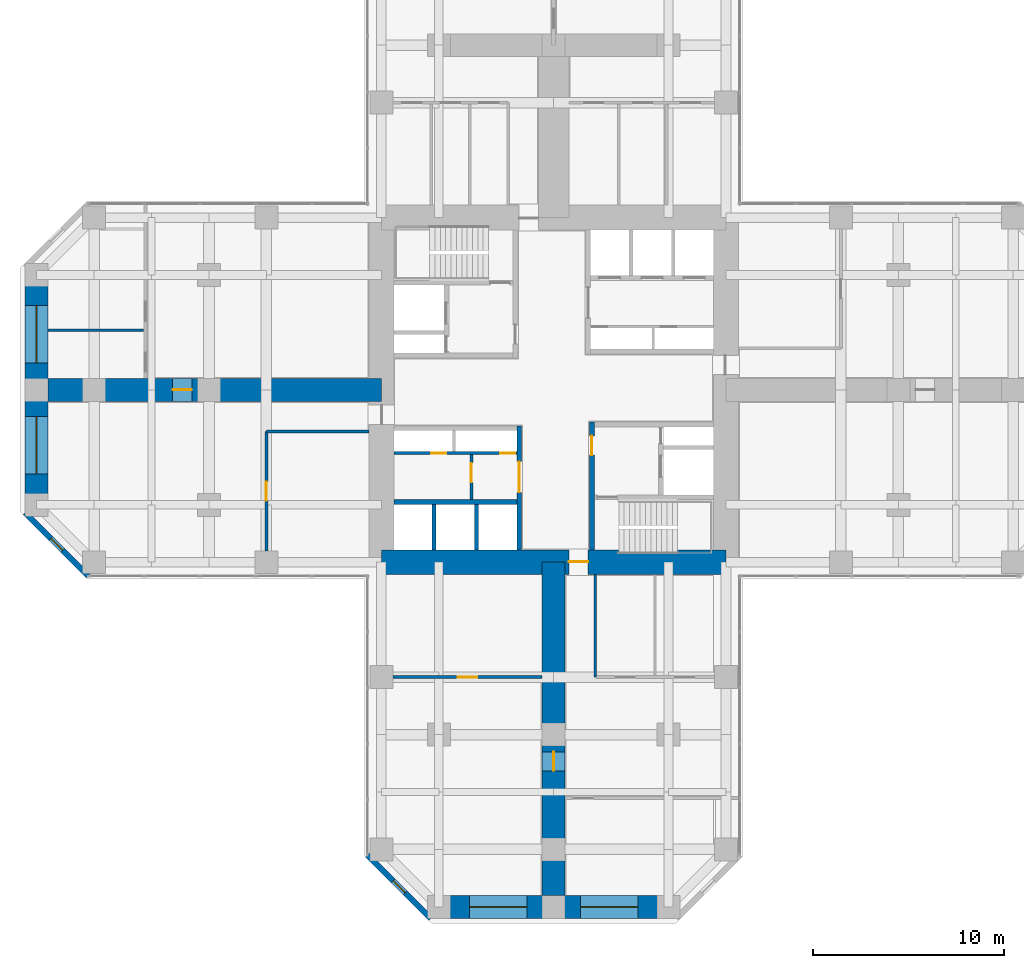
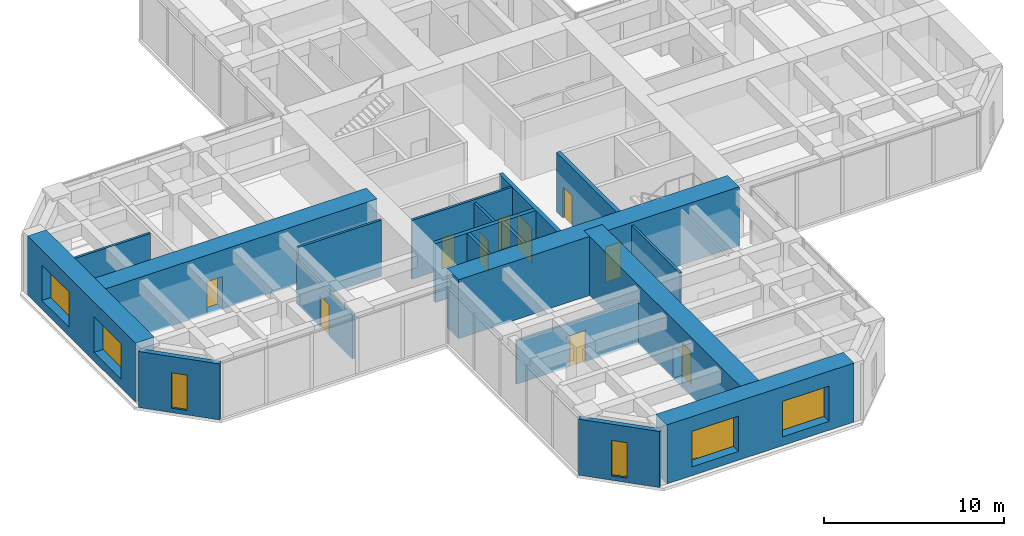
# One storey, part 8 of 12: 19 walls, 10 doors, 6 windows, 16 openings.
"""IFC4 building model written with IfcOpenShell, lengths in metres."""

from ifc_helpers import new_model, si_unit, direction, frame, frame_2d, origin, place, context, subcontext, project, spatial, rectangle, hollow_rectangle, extrude, material, layer, layer_set, constituent, constituent_set, type_object, element, fill, save


model = new_model("IFC4")

# Units and contexts
model_context = context("Model", 3, precision=1e-05, world=origin(), true_north=direction((0.0, 1.0)))
body_context = subcontext(model_context, "Body", "Model", "MODEL_VIEW")
ifc_project = project(units=[si_unit("LENGTHUNIT", "METRE"), si_unit("AREAUNIT", "SQUARE_METRE"), si_unit("VOLUMEUNIT", "CUBIC_METRE"), si_unit("PLANEANGLEUNIT", "RADIAN"), si_unit("MASSUNIT", "GRAM", prefix="KILO")], contexts=[model_context])

# Site, building, storey
site_placement = place(None, origin())
site = spatial("IfcSite", under=ifc_project, at=site_placement, CompositionType="ELEMENT")
building_placement = place(site_placement, origin())
building = spatial("IfcBuilding", under=site, at=building_placement, Name="Torre Cruceta", CompositionType="ELEMENT")
storey_placement = place(building_placement, frame((0.0, 0.0, 71.5)))
storey = spatial("IfcBuildingStorey", under=building, at=storey_placement, Name="L17", CompositionType="ELEMENT", Elevation=71.5)

# Wall, opening, door
ifc_material_1 = material(Name="Concrete G60 (fck 60 MPa)", Category="concrete")
ifc_layer_1 = layer(ifc_material_1, 0.25)
ifc_layer_set_1 = layer_set([ifc_layer_1], Name="Concrete G60 (fck 60 MPa)")
wall_type_1 = type_object("IfcWallType", Name="CORE INNER WALL 250 G60", PredefinedType="SHEAR", material=ifc_layer_set_1)
wall_1_placement = place(storey_placement, frame((-1.800048828125, -1.875, 0.0), z_axis=(0.0, 0.0, 1.0), x_axis=(0.0, -1.0, 0.0)))
wall_1 = element("IfcWall", 1, at=wall_1_placement, inside=storey, type_object=wall_type_1, Name="CW4 L17 SW-CU", PredefinedType="SHEAR", context=body_context, shape_type="SweptSolid", body=[
    extrude(rectangle(XDim=6.47509765625, YDim=0.25, at=frame_2d((3.237548828125, 0.0))), origin(), (0.0, 0.0, 1.0), 4.0),
])
opening_1_placement = place(wall_1_placement, frame((1.875, 0.0, 0.0)))
opening_1 = element("IfcOpeningElement", 2, at=opening_1_placement, cuts=wall_1, Name="Opening D15", PredefinedType="OPENING", context=body_context, shape_type="SweptSolid", body=[
    extrude(rectangle(XDim=1.60009765625, YDim=2.39990234375, at=frame_2d((0.800048828125, 1.199951171875))), frame((0.0, 0.135009765625, 0.0), z_axis=(0.0, -1.0, 0.0), x_axis=(1.0, 0.0, 0.0)), (0.0, 0.0, 1.0), 0.27001953125),
])
ifc_material_2 = material(Name="Steel DX51D", Category="steel")
ifc_constituent_1 = constituent(ifc_material_2, Name="Leaf and frame")
ifc_material_3 = material(Name="Polyester powder coating", Category="paint")
ifc_constituent_2 = constituent(ifc_material_3, Name="Finish")
ifc_constituent_set_1 = constituent_set(constituents=[ifc_constituent_1, ifc_constituent_2], Name="Steel fire door")
door_type_1 = type_object("IfcDoorType", Name="CORE ROOM DOUBLE DOOR 1600X2400", OperationType="DOUBLE_DOOR_SINGLE_SWING", PredefinedType="DOOR", material=ifc_constituent_set_1)
door_1_placement = place(opening_1_placement, frame((1.60009765625, 0.0, 0.0), z_axis=(0.0, 0.0, 1.0), x_axis=(-1.0, 0.0, 0.0)))
door_1 = element("IfcDoor", 3, at=door_1_placement, inside=storey, type_object=door_type_1, Name="D15 L17 SW-LOBBY", OperationType="DOUBLE_DOOR_SINGLE_SWING", OverallHeight=2.39990234375, OverallWidth=1.60009765625, PredefinedType="DOOR", context=body_context, shape_type="SweptSolid", body=[
    extrude(rectangle(XDim=1.60009765625, YDim=2.39990234375, at=frame_2d((0.800048828125, 1.199951171875))), frame((0.0, 0.025146484375, 0.0), z_axis=(0.0, -1.0, 0.0), x_axis=(1.0, 0.0, 0.0)), (0.0, 0.0, 1.0), 0.050048828125),
])
fill(opening_1, door_1)

# Wall
wall_2_placement = place(storey_placement, frame((-1.925048828125, -5.85009765625, 0.0), z_axis=(0.0, 0.0, 1.0), x_axis=(-1.0, 0.0, 0.0)))
element("IfcWall", 4, at=wall_2_placement, inside=storey, type_object=wall_type_1, Name="CW4 L17 SW-LV", PredefinedType="SHEAR", context=body_context, shape_type="SweptSolid", body=[
    extrude(rectangle(XDim=6.425048828125, YDim=0.25, at=frame_2d((3.21240234375, 0.0))), origin(), (0.0, 0.0, 1.0), 4.0),
])

# Wall, opening, door
wall_3_placement = place(storey_placement, frame((2.0, -1.675048828125, 0.0), z_axis=(0.0, 0.0, 1.0), x_axis=(0.0, -1.0, 0.0)))
wall_3 = element("IfcWall", 5, at=wall_3_placement, inside=storey, type_object=wall_type_1, Name="CW4 L17 SE-CU", PredefinedType="SHEAR", context=body_context, shape_type="SweptSolid", body=[
    extrude(rectangle(XDim=6.675048828125, YDim=0.25, at=frame_2d((3.33740234375, 0.0))), origin(), (0.0, 0.0, 1.0), 4.0),
])
opening_2_placement = place(wall_3_placement, frame((0.72509765625, 0.0, 0.0)))
opening_2 = element("IfcOpeningElement", 6, at=opening_2_placement, cuts=wall_3, Name="Opening D3", PredefinedType="OPENING", context=body_context, shape_type="SweptSolid", body=[
    extrude(rectangle(XDim=1.0, YDim=2.10009765625, at=frame_2d((0.5, 1.050048828125))), frame((0.0, 0.135009765625, 0.0), z_axis=(0.0, -1.0, 0.0), x_axis=(1.0, 0.0, 0.0)), (0.0, 0.0, 1.0), 0.27001953125),
])
ifc_material_4 = material(Name="Steel DX51D", Category="steel")
ifc_constituent_3 = constituent(ifc_material_4, Name="Leaf and frame")
ifc_material_5 = material(Name="Polyester powder coating", Category="paint")
ifc_constituent_4 = constituent(ifc_material_5, Name="Finish")
ifc_constituent_set_2 = constituent_set(constituents=[ifc_constituent_3, ifc_constituent_4], Name="Steel fire door")
door_type_2 = type_object("IfcDoorType", Name="FIRE DOOR 1000X2100", OperationType="SINGLE_SWING_LEFT", PredefinedType="DOOR", material=ifc_constituent_set_2)
door_2_placement = place(opening_2_placement, origin())
door_2 = element("IfcDoor", 7, at=door_2_placement, inside=storey, type_object=door_type_2, Name="D3 L17 SE-LOBBY", OperationType="SINGLE_SWING_LEFT", OverallHeight=2.10009765625, OverallWidth=1.0, PredefinedType="DOOR", context=body_context, shape_type="SweptSolid", body=[
    extrude(rectangle(XDim=1.0, YDim=2.10009765625, at=frame_2d((0.5, 1.050048828125))), frame((0.0, 0.02490234375, 0.0), z_axis=(0.0, -1.0, 0.0), x_axis=(1.0, 0.0, 0.0)), (0.0, 0.0, 1.0), 0.050048828125),
])
fill(opening_2, door_2)

ifc_material_6 = material(Name="Concrete G60 (fck 60 MPa)", Category="concrete")
ifc_layer_2 = layer(ifc_material_6, 1.300048828125)
ifc_layer_set_2 = layer_set([ifc_layer_2], Name="Concrete G60 (fck 60 MPa)")
wall_type_2 = type_object("IfcWallType", Name="CORE WALL 1300 G60", PredefinedType="SHEAR", material=ifc_layer_set_2)
wall_4_placement = place(storey_placement, frame((-9.0, -9.0, 0.0), z_axis=(0.0, 0.0, 1.0), x_axis=(1.0, 0.0, 0.0)))
wall_4 = element("IfcWall", 8, at=wall_4_placement, inside=storey, type_object=wall_type_2, Name="CW1 L17 CW-S", PredefinedType="SHEAR", context=body_context, shape_type="SweptSolid", body=[
    extrude(rectangle(XDim=18.0, YDim=1.300048828125, at=frame_2d((9.0, 0.0))), origin(), (0.0, 0.0, 1.0), 4.0),
])
opening_3_placement = place(wall_4_placement, frame((9.800048828125, 0.0, 0.0)))
opening_3 = element("IfcOpeningElement", 9, at=opening_3_placement, cuts=wall_4, Name="Opening D4", PredefinedType="OPENING", context=body_context, shape_type="SweptSolid", body=[
    extrude(rectangle(XDim=1.0, YDim=2.39990234375, at=frame_2d((0.5, 1.199951171875))), frame((0.0, 0.659912109375, 0.0), z_axis=(0.0, -1.0, 0.0), x_axis=(1.0, 0.0, 0.0)), (0.0, 0.0, 1.0), 1.320068359375),
])
ifc_material_7 = material(Name="Steel DX51D", Category="steel")
ifc_constituent_5 = constituent(ifc_material_7, Name="Leaf and frame")
ifc_material_8 = material(Name="Polyester powder coating", Category="paint")
ifc_constituent_6 = constituent(ifc_material_8, Name="Finish")
ifc_constituent_set_3 = constituent_set(constituents=[ifc_constituent_5, ifc_constituent_6], Name="Steel fire door")
door_type_3 = type_object("IfcDoorType", Name="CORE ARM DOOR 1000X2400", OperationType="SINGLE_SWING_RIGHT", PredefinedType="DOOR", material=ifc_constituent_set_3)
door_3_placement = place(opening_3_placement, frame((1.0, 0.0, 0.0), z_axis=(0.0, 0.0, 1.0), x_axis=(-1.0, 0.0, 0.0)))
door_3 = element("IfcDoor", 10, at=door_3_placement, inside=storey, type_object=door_type_3, Name="D4 L17 CW-S", OperationType="SINGLE_SWING_RIGHT", OverallHeight=2.39990234375, OverallWidth=1.0, PredefinedType="DOOR", context=body_context, shape_type="SweptSolid", body=[
    extrude(rectangle(XDim=1.0, YDim=2.39990234375, at=frame_2d((0.5, 1.199951171875))), frame((0.0, -0.005126953125, 0.0), z_axis=(0.0, -1.0, 0.0), x_axis=(1.0, 0.0, 0.0)), (0.0, 0.0, 1.0), 0.050048828125),
])
fill(opening_3, door_3)

# Wall, opening, window
ifc_material_9 = material(Name="Concrete G30 (fck 30 MPa)", Category="concrete")
ifc_layer_3 = layer(ifc_material_9, 0.300048828125)
ifc_layer_set_3 = layer_set([ifc_layer_3], Name="Concrete G30 (fck 30 MPa)")
wall_type_3 = type_object("IfcWallType", Name="EXPOSED CONCRETE FACADE WALL 300", PredefinedType="SOLIDWALL", material=ifc_layer_set_3)
wall_5_placement = place(storey_placement, frame((-27.60009765625, -6.418212890625, 0.0), z_axis=(0.0, 0.0, 1.0), x_axis=(0.707106781187, -0.707106781187, 0.0)))
wall_5 = element("IfcWall", 11, at=wall_5_placement, inside=storey, type_object=wall_type_3, Name="EW1 facade wall L17 W chamfer 13", PredefinedType="SOLIDWALL", context=body_context, shape_type="SweptSolid", body=[
    extrude(rectangle(XDim=4.66943359375, YDim=0.300048828125, at=frame_2d((2.334716796875, 0.0))), origin(), (0.0, 0.0, 1.0), 3.800048828125),
])
opening_4_placement = place(wall_5_placement, frame((1.884765625, 0.0, 0.300048828125)))
opening_4 = element("IfcOpeningElement", 12, at=opening_4_placement, cuts=wall_5, Name="Opening WN5", PredefinedType="OPENING", context=body_context, shape_type="SweptSolid", body=[
    extrude(rectangle(XDim=0.89990234375, YDim=2.39990234375, at=frame_2d((0.449951171875, 1.199951171875))), frame((0.0, 0.159912109375, 0.0), z_axis=(0.0, -1.0, 0.0), x_axis=(1.0, 0.0, 0.0)), (0.0, 0.0, 1.0), 0.320068359375),
])
ifc_material_10 = material(Name="Aluminium window frame", Category="aluminium")
ifc_constituent_7 = constituent(ifc_material_10, Name="Frame")
ifc_material_11 = material(Name="Laminated insulating glass unit, low-iron clear", Category="glass")
ifc_constituent_8 = constituent(ifc_material_11, Name="Glazing")
ifc_constituent_set_4 = constituent_set(constituents=[ifc_constituent_7, ifc_constituent_8], Name="Aluminium window")
window_type_1 = type_object("IfcWindowType", Name="CHAMFER SLOT WINDOW 900X2400", PartitioningType="SINGLE_PANEL", PredefinedType="WINDOW", material=ifc_constituent_set_4)
window_1_placement = place(opening_4_placement, origin())
window_1 = element("IfcWindow", 13, at=window_1_placement, inside=storey, type_object=window_type_1, Name="WN5 L17 W 1", OverallHeight=2.39990234375, OverallWidth=0.89990234375, PartitioningType="SINGLE_PANEL", PredefinedType="WINDOW", context=body_context, shape_type="SweptSolid", body=[
    extrude(hollow_rectangle(XDim=0.89990234375, YDim=2.39990234375, WallThickness=0.06005859375, at=frame_2d((0.449951171875, 1.199951171875))), frame((0.0, 0.030029296875, 0.0), z_axis=(0.0, -1.0, 0.0), x_axis=(1.0, 0.0, 0.0)), (0.0, 0.0, 1.0), 0.06005859375),
    extrude(rectangle(XDim=0.77880859375, YDim=2.27880859375, at=frame_2d((0.449951171875, 1.199951171875))), frame((0.0, 0.030029296875, 0.0), z_axis=(0.0, -1.0, 0.0), x_axis=(1.0, 0.0, 0.0)), (0.0, 0.0, 1.0), 0.06005859375),
])
fill(opening_4, window_1)

wall_6_placement = place(storey_placement, frame((-9.719970703125, -24.29833984375, 0.0), z_axis=(0.0, 0.0, 1.0), x_axis=(0.707106781187, -0.707106781187, 0.0)))
wall_6 = element("IfcWall", 14, at=wall_6_placement, inside=storey, type_object=wall_type_3, Name="EW1 facade wall L17 S chamfer 16", PredefinedType="SOLIDWALL", context=body_context, shape_type="SweptSolid", body=[
    extrude(rectangle(XDim=4.66943359375, YDim=0.300048828125, at=frame_2d((2.334716796875, 0.0))), origin(), (0.0, 0.0, 1.0), 3.800048828125),
])
opening_5_placement = place(wall_6_placement, frame((1.884765625, 0.0, 0.300048828125)))
opening_5 = element("IfcOpeningElement", 15, at=opening_5_placement, cuts=wall_6, Name="Opening WN5", PredefinedType="OPENING", context=body_context, shape_type="SweptSolid", body=[
    extrude(rectangle(XDim=0.89990234375, YDim=2.39990234375, at=frame_2d((0.449951171875, 1.199951171875))), frame((0.0, 0.159912109375, 0.0), z_axis=(0.0, -1.0, 0.0), x_axis=(1.0, 0.0, 0.0)), (0.0, 0.0, 1.0), 0.320068359375),
])
window_2_placement = place(opening_5_placement, origin())
window_2 = element("IfcWindow", 16, at=window_2_placement, inside=storey, type_object=window_type_1, Name="WN5 L17 S 1", OverallHeight=2.39990234375, OverallWidth=0.89990234375, PartitioningType="SINGLE_PANEL", PredefinedType="WINDOW", context=body_context, shape_type="SweptSolid", body=[
    extrude(hollow_rectangle(XDim=0.89990234375, YDim=2.39990234375, WallThickness=0.06005859375, at=frame_2d((0.449951171875, 1.199951171875))), frame((0.0, 0.030029296875, 0.0), z_axis=(0.0, -1.0, 0.0), x_axis=(1.0, 0.0, 0.0)), (0.0, 0.0, 1.0), 0.06005859375),
    extrude(rectangle(XDim=0.77880859375, YDim=2.27880859375, at=frame_2d((0.449951171875, 1.199951171875))), frame((0.0, 0.030029296875, 0.0), z_axis=(0.0, -1.0, 0.0), x_axis=(1.0, 0.0, 0.0)), (0.0, 0.0, 1.0), 0.06005859375),
])
fill(opening_5, window_2)

# Walls
ifc_material_12 = material(Name="Concrete G35 (fck 35 MPa)", Category="concrete")
ifc_layer_4 = layer(ifc_material_12, 0.199951171875)
ifc_layer_set_4 = layer_set([ifc_layer_4], Name="Concrete G35 (fck 35 MPa)")
wall_type_4 = type_object("IfcWallType", Name="LIFT SHAFT WALL 200", PredefinedType="PARTITIONING", material=ifc_layer_set_4)
for number, where, z_axis, x_axis, name in (
    (17, (-4.033447265625, -5.97509765625, 0.0), (0.0, 0.0, 1.0), (0.0, -1.0, 0.0), "SW1 L17 SW-LS1"),
    (18, (-6.24169921875, -5.97509765625, 0.0), (0.0, 0.0, 1.0), (0.0, -1.0, 0.0), "SW1 L17 SW-LS2"),
):
    element("IfcWall", number, at=place(storey_placement, frame(where, z_axis=z_axis, x_axis=x_axis)), inside=storey, type_object=wall_type_4, Name=name, PredefinedType="PARTITIONING", context=body_context, shape_type="SweptSolid", body=[
        extrude(rectangle(XDim=2.375, YDim=0.199951171875, at=frame_2d((1.1875, 0.0))), origin(), (0.0, 0.0, 1.0), 4.0),
    ])

# Wall, openings, windows
ifc_material_13 = material(Name="Concrete G60 (fck 60 MPa)", Category="concrete")
ifc_layer_5 = layer(ifc_material_13, 1.199951171875)
ifc_layer_set_5 = layer_set([ifc_layer_5], Name="Concrete G60 (fck 60 MPa)")
wall_type_5 = type_object("IfcWallType", Name="NOSE WALL 1200 G60", PredefinedType="SHEAR", material=ifc_layer_set_5)
wall_7_placement = place(storey_placement, frame((-6.0, -27.0, 0.0), z_axis=(0.0, 0.0, 1.0), x_axis=(1.0, 0.0, 0.0)))
wall_7 = element("IfcWall", 19, at=wall_7_placement, inside=storey, type_object=wall_type_5, Name="NW1 nose wall L17 S", PredefinedType="SHEAR", context=body_context, shape_type="SweptSolid", body=[
    extrude(rectangle(XDim=12.0, YDim=1.199951171875, at=frame_2d((6.0, 0.0))), origin(), (0.0, 0.0, 1.0), 4.0),
])
opening_6_placement = place(wall_7_placement, frame((1.60009765625, 0.0, 0.60009765625)))
opening_6 = element("IfcOpeningElement", 20, at=opening_6_placement, cuts=wall_7, Name="Opening WN6", PredefinedType="OPENING", context=body_context, shape_type="SweptSolid", body=[
    extrude(rectangle(XDim=3.0, YDim=2.39990234375, at=frame_2d((1.5, 1.199951171875))), frame((0.0, 0.60986328125, 0.0), z_axis=(0.0, -1.0, 0.0), x_axis=(1.0, 0.0, 0.0)), (0.0, 0.0, 1.0), 1.219970703125),
])
opening_7_placement = place(wall_7_placement, frame((7.39990234375, 0.0, 0.60009765625)))
opening_7 = element("IfcOpeningElement", 21, at=opening_7_placement, cuts=wall_7, Name="Opening WN6", PredefinedType="OPENING", context=body_context, shape_type="SweptSolid", body=[
    extrude(rectangle(XDim=3.0, YDim=2.39990234375, at=frame_2d((1.5, 1.199951171875))), frame((0.0, 0.60986328125, 0.0), z_axis=(0.0, -1.0, 0.0), x_axis=(1.0, 0.0, 0.0)), (0.0, 0.0, 1.0), 1.219970703125),
])
ifc_material_14 = material(Name="Aluminium window frame", Category="aluminium")
ifc_constituent_9 = constituent(ifc_material_14, Name="Frame")
ifc_material_15 = material(Name="Laminated insulating glass unit, low-iron clear", Category="glass")
ifc_constituent_10 = constituent(ifc_material_15, Name="Glazing")
ifc_constituent_set_5 = constituent_set(constituents=[ifc_constituent_9, ifc_constituent_10], Name="Aluminium window")
window_type_2 = type_object("IfcWindowType", Name="NOSE WALL WINDOW 3000X2400", PartitioningType="SINGLE_PANEL", PredefinedType="WINDOW", material=ifc_constituent_set_5)
window_3_placement = place(opening_6_placement, origin())
window_3 = element("IfcWindow", 22, at=window_3_placement, inside=storey, type_object=window_type_2, Name="WN6 L17 S 1", OverallHeight=2.39990234375, OverallWidth=3.0, PartitioningType="SINGLE_PANEL", PredefinedType="WINDOW", context=body_context, shape_type="SweptSolid", body=[
    extrude(hollow_rectangle(XDim=3.0, YDim=2.39990234375, WallThickness=0.06005859375, at=frame_2d((1.5, 1.199951171875))), frame((0.0, 0.030029296875, 0.0), z_axis=(0.0, -1.0, 0.0), x_axis=(1.0, 0.0, 0.0)), (0.0, 0.0, 1.0), 0.06005859375),
    extrude(rectangle(XDim=2.87890625, YDim=2.27880859375, at=frame_2d((1.5, 1.199951171875))), frame((0.0, 0.030029296875, 0.0), z_axis=(0.0, -1.0, 0.0), x_axis=(1.0, 0.0, 0.0)), (0.0, 0.0, 1.0), 0.06005859375),
])
fill(opening_6, window_3)
window_4_placement = place(opening_7_placement, origin())
window_4 = element("IfcWindow", 23, at=window_4_placement, inside=storey, type_object=window_type_2, Name="WN6 L17 S 2", OverallHeight=2.39990234375, OverallWidth=3.0, PartitioningType="SINGLE_PANEL", PredefinedType="WINDOW", context=body_context, shape_type="SweptSolid", body=[
    extrude(hollow_rectangle(XDim=3.0, YDim=2.39990234375, WallThickness=0.06005859375, at=frame_2d((1.5, 1.199951171875))), frame((0.0, 0.030029296875, 0.0), z_axis=(0.0, -1.0, 0.0), x_axis=(1.0, 0.0, 0.0)), (0.0, 0.0, 1.0), 0.06005859375),
    extrude(rectangle(XDim=2.87890625, YDim=2.27880859375, at=frame_2d((1.5, 1.199951171875))), frame((0.0, 0.030029296875, 0.0), z_axis=(0.0, -1.0, 0.0), x_axis=(1.0, 0.0, 0.0)), (0.0, 0.0, 1.0), 0.06005859375),
])
fill(opening_7, window_4)

wall_8_placement = place(storey_placement, frame((-27.0, 6.0, 0.0), z_axis=(0.0, 0.0, 1.0), x_axis=(0.0, -1.0, 0.0)))
wall_8 = element("IfcWall", 24, at=wall_8_placement, inside=storey, type_object=wall_type_5, Name="NW1 nose wall L17 W", PredefinedType="SHEAR", context=body_context, shape_type="SweptSolid", body=[
    extrude(rectangle(XDim=12.0, YDim=1.199951171875, at=frame_2d((6.0, 0.0))), origin(), (0.0, 0.0, 1.0), 4.0),
])
opening_8_placement = place(wall_8_placement, frame((1.60009765625, 0.0, 0.60009765625)))
opening_8 = element("IfcOpeningElement", 25, at=opening_8_placement, cuts=wall_8, Name="Opening WN6", PredefinedType="OPENING", context=body_context, shape_type="SweptSolid", body=[
    extrude(rectangle(XDim=3.0, YDim=2.39990234375, at=frame_2d((1.5, 1.199951171875))), frame((0.0, 0.60986328125, 0.0), z_axis=(0.0, -1.0, 0.0), x_axis=(1.0, 0.0, 0.0)), (0.0, 0.0, 1.0), 1.219970703125),
])
opening_9_placement = place(wall_8_placement, frame((7.39990234375, 0.0, 0.60009765625)))
opening_9 = element("IfcOpeningElement", 26, at=opening_9_placement, cuts=wall_8, Name="Opening WN6", PredefinedType="OPENING", context=body_context, shape_type="SweptSolid", body=[
    extrude(rectangle(XDim=3.0, YDim=2.39990234375, at=frame_2d((1.5, 1.199951171875))), frame((0.0, 0.60986328125, 0.0), z_axis=(0.0, -1.0, 0.0), x_axis=(1.0, 0.0, 0.0)), (0.0, 0.0, 1.0), 1.219970703125),
])
window_5_placement = place(opening_8_placement, origin())
window_5 = element("IfcWindow", 27, at=window_5_placement, inside=storey, type_object=window_type_2, Name="WN6 L17 W 1", OverallHeight=2.39990234375, OverallWidth=3.0, PartitioningType="SINGLE_PANEL", PredefinedType="WINDOW", context=body_context, shape_type="SweptSolid", body=[
    extrude(hollow_rectangle(XDim=3.0, YDim=2.39990234375, WallThickness=0.06005859375, at=frame_2d((1.5, 1.199951171875))), frame((0.0, 0.030029296875, 0.0), z_axis=(0.0, -1.0, 0.0), x_axis=(1.0, 0.0, 0.0)), (0.0, 0.0, 1.0), 0.06005859375),
    extrude(rectangle(XDim=2.87890625, YDim=2.27880859375, at=frame_2d((1.5, 1.199951171875))), frame((0.0, 0.030029296875, 0.0), z_axis=(0.0, -1.0, 0.0), x_axis=(1.0, 0.0, 0.0)), (0.0, 0.0, 1.0), 0.06005859375),
])
fill(opening_8, window_5)
window_6_placement = place(opening_9_placement, origin())
window_6 = element("IfcWindow", 28, at=window_6_placement, inside=storey, type_object=window_type_2, Name="WN6 L17 W 2", OverallHeight=2.39990234375, OverallWidth=3.0, PartitioningType="SINGLE_PANEL", PredefinedType="WINDOW", context=body_context, shape_type="SweptSolid", body=[
    extrude(hollow_rectangle(XDim=3.0, YDim=2.39990234375, WallThickness=0.06005859375, at=frame_2d((1.5, 1.199951171875))), frame((0.0, 0.030029296875, 0.0), z_axis=(0.0, -1.0, 0.0), x_axis=(1.0, 0.0, 0.0)), (0.0, 0.0, 1.0), 0.06005859375),
    extrude(rectangle(XDim=2.87890625, YDim=2.27880859375, at=frame_2d((1.5, 1.199951171875))), frame((0.0, 0.030029296875, 0.0), z_axis=(0.0, -1.0, 0.0), x_axis=(1.0, 0.0, 0.0)), (0.0, 0.0, 1.0), 0.06005859375),
])
fill(opening_9, window_6)

# Wall, opening, door
ifc_material_16 = material(Name="Plasterboard on steel studs", Category="steel")
ifc_layer_6 = layer(ifc_material_16, 0.14990234375)
ifc_layer_set_6 = layer_set([ifc_layer_6], Name="Plasterboard on steel studs")
wall_type_6 = type_object("IfcWallType", Name="PARTITION 150", PredefinedType="PARTITIONING", material=ifc_layer_set_6)
wall_9_placement = place(storey_placement, frame((-4.300048828125, -3.375, 0.0), z_axis=(0.0, 0.0, 1.0), x_axis=(0.0, -1.0, 0.0)))
wall_9 = element("IfcWall", 29, at=wall_9_placement, inside=storey, type_object=wall_type_6, Name="PT1 L17-CORE-SW-X", PredefinedType="PARTITIONING", context=body_context, shape_type="SweptSolid", body=[
    extrude(rectangle(XDim=2.35009765625, YDim=0.14990234375, at=frame_2d((1.175048828125, 0.0))), origin(), (0.0, 0.0, 1.0), 3.800048828125),
])
opening_10_placement = place(wall_9_placement, frame((0.449951171875, 0.0, 0.0)))
opening_10 = element("IfcOpeningElement", 30, at=opening_10_placement, cuts=wall_9, Name="Opening D3", PredefinedType="OPENING", context=body_context, shape_type="SweptSolid", body=[
    extrude(rectangle(XDim=1.0, YDim=2.10009765625, at=frame_2d((0.5, 1.050048828125))), frame((0.0, 0.0849609375, 0.0), z_axis=(0.0, -1.0, 0.0), x_axis=(1.0, 0.0, 0.0)), (0.0, 0.0, 1.0), 0.169921875),
])
door_4_placement = place(opening_10_placement, origin())
door_4 = element("IfcDoor", 31, at=door_4_placement, inside=storey, type_object=door_type_2, Name="D3 L17-CORE-SW-X-D1", OperationType="SINGLE_SWING_LEFT", OverallHeight=2.10009765625, OverallWidth=1.0, PredefinedType="DOOR", context=body_context, shape_type="SweptSolid", body=[
    extrude(rectangle(XDim=1.0, YDim=2.10009765625, at=frame_2d((0.5, 1.050048828125))), frame((0.0, 0.02490234375, 0.0), z_axis=(0.0, -1.0, 0.0), x_axis=(1.0, 0.0, 0.0)), (0.0, 0.0, 1.0), 0.050048828125),
])
fill(opening_10, door_4)

# Wall
wall_10_placement = place(storey_placement, frame((2.175048828125, -9.64990234375, 0.0), z_axis=(0.0, 0.0, 1.0), x_axis=(0.0, -1.0, 0.0)))
element("IfcWall", 32, at=wall_10_placement, inside=storey, type_object=wall_type_6, Name="PT1 L17-S-BSL", PredefinedType="PARTITIONING", context=body_context, shape_type="SweptSolid", body=[
    extrude(rectangle(XDim=5.35009765625, YDim=0.14990234375, at=frame_2d((2.675048828125, 0.0))), origin(), (0.0, 0.0, 1.0), 3.800048828125),
])

# Wall, opening, door
wall_11_placement = place(storey_placement, frame((-8.39990234375, -15.0, 0.0), z_axis=(0.0, 0.0, 1.0), x_axis=(1.0, 0.0, 0.0)))
wall_11 = element("IfcWall", 33, at=wall_11_placement, inside=storey, type_object=wall_type_6, Name="PT1 L17-S-BFR", PredefinedType="PARTITIONING", context=body_context, shape_type="SweptSolid", body=[
    extrude(rectangle(XDim=7.7998046875, YDim=0.14990234375, at=frame_2d((3.89990234375, 0.0))), origin(), (0.0, 0.0, 1.0), 2.949951171875),
])
opening_11_placement = place(wall_11_placement, frame((3.39990234375, 0.0, 0.0)))
opening_11 = element("IfcOpeningElement", 34, at=opening_11_placement, cuts=wall_11, Name="Opening D3", PredefinedType="OPENING", context=body_context, shape_type="SweptSolid", body=[
    extrude(rectangle(XDim=1.0, YDim=2.10009765625, at=frame_2d((0.5, 1.050048828125))), frame((0.0, 0.0849609375, 0.0), z_axis=(0.0, -1.0, 0.0), x_axis=(1.0, 0.0, 0.0)), (0.0, 0.0, 1.0), 0.169921875),
])
door_5_placement = place(opening_11_placement, origin())
door_5 = element("IfcDoor", 35, at=door_5_placement, inside=storey, type_object=door_type_2, Name="D3 L17-S-BFR-D1", OperationType="SINGLE_SWING_RIGHT", OverallHeight=2.10009765625, OverallWidth=1.0, PredefinedType="DOOR", context=body_context, shape_type="SweptSolid", body=[
    extrude(rectangle(XDim=1.0, YDim=2.10009765625, at=frame_2d((0.5, 1.050048828125))), frame((0.0, 0.02490234375, 0.0), z_axis=(0.0, -1.0, 0.0), x_axis=(1.0, 0.0, 0.0)), (0.0, 0.0, 1.0), 0.050048828125),
])
fill(opening_11, door_5)

wall_12_placement = place(storey_placement, frame((-15.0, -2.175048828125, 0.0), z_axis=(0.0, 0.0, 1.0), x_axis=(0.0, -1.0, 0.0)))
wall_12 = element("IfcWall", 36, at=wall_12_placement, inside=storey, type_object=wall_type_6, Name="PT1 L17-W-BFL", PredefinedType="PARTITIONING", context=body_context, shape_type="SweptSolid", body=[
    extrude(rectangle(XDim=6.224853515625, YDim=0.14990234375, at=frame_2d((3.1123046875, 0.0))), origin(), (0.0, 0.0, 1.0), 2.949951171875),
])
opening_12_placement = place(wall_12_placement, frame((2.612548828125, 0.0, 0.0)))
opening_12 = element("IfcOpeningElement", 37, at=opening_12_placement, cuts=wall_12, Name="Opening D3", PredefinedType="OPENING", context=body_context, shape_type="SweptSolid", body=[
    extrude(rectangle(XDim=1.0, YDim=2.10009765625, at=frame_2d((0.5, 1.050048828125))), frame((0.0, 0.0849609375, 0.0), z_axis=(0.0, -1.0, 0.0), x_axis=(1.0, 0.0, 0.0)), (0.0, 0.0, 1.0), 0.169921875),
])
door_6_placement = place(opening_12_placement, origin())
door_6 = element("IfcDoor", 38, at=door_6_placement, inside=storey, type_object=door_type_2, Name="D3 L17-W-BFL-D1", OperationType="SINGLE_SWING_LEFT", OverallHeight=2.10009765625, OverallWidth=1.0, PredefinedType="DOOR", context=body_context, shape_type="SweptSolid", body=[
    extrude(rectangle(XDim=1.0, YDim=2.10009765625, at=frame_2d((0.5, 1.050048828125))), frame((0.0, 0.02490234375, 0.0), z_axis=(0.0, -1.0, 0.0), x_axis=(1.0, 0.0, 0.0)), (0.0, 0.0, 1.0), 0.050048828125),
])
fill(opening_12, door_6)

# Walls
wall_13_placement = place(storey_placement, frame((-9.64990234375, -2.175048828125, 0.0), z_axis=(0.0, 0.0, 1.0), x_axis=(-1.0, 0.0, 0.0)))
element("IfcWall", 39, at=wall_13_placement, inside=storey, type_object=wall_type_6, Name="PT1 L17-W-BSL", PredefinedType="PARTITIONING", context=body_context, shape_type="SweptSolid", body=[
    extrude(rectangle(XDim=5.35009765625, YDim=0.14990234375, at=frame_2d((2.675048828125, 0.0))), origin(), (0.0, 0.0, 1.0), 3.800048828125),
])
wall_14_placement = place(storey_placement, frame((-21.419921875, 3.117919921875, 0.0), z_axis=(0.0, 0.0, 1.0), x_axis=(-1.0, 0.0, 0.0)))
element("IfcWall", 40, at=wall_14_placement, inside=storey, type_object=wall_type_6, Name="PT1 L17-W-TDR", PredefinedType="PARTITIONING", context=body_context, shape_type="SweptSolid", body=[
    extrude(rectangle(XDim=4.97998046875, YDim=0.14990234375, at=frame_2d((2.489990234375, 0.0))), origin(), (0.0, 0.0, 1.0), 3.800048828125),
])

# Wall, openings, doors
ifc_material_17 = material(Name="Concrete block masonry", Category="masonry")
ifc_layer_7 = layer(ifc_material_17, 0.14990234375)
ifc_layer_set_7 = layer_set([ifc_layer_7], Name="Concrete block masonry")
wall_type_7 = type_object("IfcWallType", Name="RISER WALL 150", PredefinedType="PARTITIONING", material=ifc_layer_set_7)
wall_15_placement = place(storey_placement, frame((-1.925048828125, -3.300048828125, 0.0), z_axis=(0.0, 0.0, 1.0), x_axis=(-1.0, 0.0, 0.0)))
wall_15 = element("IfcWall", 41, at=wall_15_placement, inside=storey, type_object=wall_type_7, Name="SW7 L17 SW-RV", PredefinedType="PARTITIONING", context=body_context, shape_type="SweptSolid", body=[
    extrude(rectangle(XDim=6.425048828125, YDim=0.14990234375, at=frame_2d((3.21240234375, 0.0))), origin(), (0.0, 0.0, 1.0), 4.0),
])
opening_13_placement = place(wall_15_placement, frame((0.074951171875, 0.0, 0.0)))
opening_13 = element("IfcOpeningElement", 42, at=opening_13_placement, cuts=wall_15, Name="Opening D5", PredefinedType="OPENING", context=body_context, shape_type="SweptSolid", body=[
    extrude(rectangle(XDim=0.800048828125, YDim=2.10009765625, at=frame_2d((0.39990234375, 1.050048828125))), frame((0.0, 0.0849609375, 0.0), z_axis=(0.0, -1.0, 0.0), x_axis=(1.0, 0.0, 0.0)), (0.0, 0.0, 1.0), 0.169921875),
])
opening_14_placement = place(wall_15_placement, frame((3.675048828125, 0.0, 0.0)))
opening_14 = element("IfcOpeningElement", 43, at=opening_14_placement, cuts=wall_15, Name="Opening D5", PredefinedType="OPENING", context=body_context, shape_type="SweptSolid", body=[
    extrude(rectangle(XDim=0.800048828125, YDim=2.10009765625, at=frame_2d((0.39990234375, 1.050048828125))), frame((0.0, 0.0849609375, 0.0), z_axis=(0.0, -1.0, 0.0), x_axis=(1.0, 0.0, 0.0)), (0.0, 0.0, 1.0), 0.169921875),
])
ifc_material_18 = material(Name="Steel DX51D", Category="steel")
ifc_constituent_11 = constituent(ifc_material_18, Name="Leaf and frame")
ifc_material_19 = material(Name="Polyester powder coating", Category="paint")
ifc_constituent_12 = constituent(ifc_material_19, Name="Finish")
ifc_constituent_set_6 = constituent_set(constituents=[ifc_constituent_11, ifc_constituent_12], Name="Steel fire door")
door_type_4 = type_object("IfcDoorType", Name="RISER ACCESS DOOR 800X2100", OperationType="SINGLE_SWING_LEFT", PredefinedType="DOOR", material=ifc_constituent_set_6)
door_7_placement = place(opening_13_placement, frame((0.800048828125, 0.0, 0.0), z_axis=(0.0, 0.0, 1.0), x_axis=(-1.0, 0.0, 0.0)))
door_7 = element("IfcDoor", 44, at=door_7_placement, inside=storey, type_object=door_type_4, Name="D5 L17 SW-RISER1", OperationType="SINGLE_SWING_RIGHT", OverallHeight=2.10009765625, OverallWidth=0.800048828125, PredefinedType="DOOR", context=body_context, shape_type="SweptSolid", body=[
    extrude(rectangle(XDim=0.800048828125, YDim=2.10009765625, at=frame_2d((0.400146484375, 1.050048828125))), frame((0.0, 0.025146484375, 0.0), z_axis=(0.0, -1.0, 0.0), x_axis=(1.0, 0.0, 0.0)), (0.0, 0.0, 1.0), 0.050048828125),
])
fill(opening_13, door_7)
door_8_placement = place(opening_14_placement, frame((0.800048828125, 0.0, 0.0), z_axis=(0.0, 0.0, 1.0), x_axis=(-1.0, 0.0, 0.0)))
door_8 = element("IfcDoor", 45, at=door_8_placement, inside=storey, type_object=door_type_4, Name="D5 L17 SW-RISER2", OperationType="SINGLE_SWING_RIGHT", OverallHeight=2.10009765625, OverallWidth=0.800048828125, PredefinedType="DOOR", context=body_context, shape_type="SweptSolid", body=[
    extrude(rectangle(XDim=0.800048828125, YDim=2.10009765625, at=frame_2d((0.400146484375, 1.050048828125))), frame((0.0, 0.025146484375, 0.0), z_axis=(0.0, -1.0, 0.0), x_axis=(1.0, 0.0, 0.0)), (0.0, 0.0, 1.0), 0.050048828125),
])
fill(opening_14, door_8)

# Wall, opening, door
ifc_material_20 = material(Name="Concrete G60 (fck 60 MPa)", Category="concrete")
ifc_layer_8 = layer(ifc_material_20, 1.199951171875)
ifc_layer_set_8 = layer_set([ifc_layer_8], Name="Concrete G60 (fck 60 MPa)")
wall_type_8 = type_object("IfcWallType", Name="SPINE WALL 1200 G60", PredefinedType="SHEAR", material=ifc_layer_set_8)
wall_16_placement = place(storey_placement, frame((0.0, -9.0, 0.0), z_axis=(0.0, 0.0, 1.0), x_axis=(0.0, -1.0, 0.0)))
wall_16 = element("IfcWall", 46, at=wall_16_placement, inside=storey, type_object=wall_type_8, Name="SW3 spine wall L17 S", PredefinedType="SHEAR", context=body_context, shape_type="SweptSolid", body=[
    extrude(rectangle(XDim=18.0, YDim=1.199951171875, at=frame_2d((9.0, 0.0))), origin(), (0.0, 0.0, 1.0), 4.0),
])
opening_15_placement = place(wall_16_placement, frame((9.89990234375, 0.0, 0.0)))
opening_15 = element("IfcOpeningElement", 47, at=opening_15_placement, cuts=wall_16, Name="Opening D14", PredefinedType="OPENING", context=body_context, shape_type="SweptSolid", body=[
    extrude(rectangle(XDim=1.0, YDim=2.199951171875, at=frame_2d((0.5, 1.10009765625))), frame((0.0, 0.60986328125, 0.0), z_axis=(0.0, -1.0, 0.0), x_axis=(1.0, 0.0, 0.0)), (0.0, 0.0, 1.0), 1.219970703125),
])
ifc_material_21 = material(Name="Steel DX51D", Category="steel")
ifc_constituent_13 = constituent(ifc_material_21, Name="Leaf and frame")
ifc_material_22 = material(Name="Polyester powder coating", Category="paint")
ifc_constituent_14 = constituent(ifc_material_22, Name="Finish")
ifc_material_23 = material(Name="Fire-resisting glass", Category="glass")
ifc_constituent_15 = constituent(ifc_material_23, Name="Vision panel")
ifc_constituent_set_7 = constituent_set(constituents=[ifc_constituent_13, ifc_constituent_14, ifc_constituent_15], Name="Steel fire door with vision panel")
door_type_5 = type_object("IfcDoorType", Name="FIRE DOOR VISION PANEL 1000X2200", OperationType="SINGLE_SWING_RIGHT", PredefinedType="DOOR", material=ifc_constituent_set_7)
door_9_placement = place(opening_15_placement, origin())
door_9 = element("IfcDoor", 48, at=door_9_placement, inside=storey, type_object=door_type_5, Name="D14 L17-S-SP1", OperationType="SINGLE_SWING_RIGHT", OverallHeight=2.199951171875, OverallWidth=1.0, PredefinedType="DOOR", context=body_context, shape_type="SweptSolid", body=[
    extrude(rectangle(XDim=1.0, YDim=2.199951171875, at=frame_2d((0.5, 1.10009765625))), frame((0.0, 0.02490234375, 0.0), z_axis=(0.0, -1.0, 0.0), x_axis=(1.0, 0.0, 0.0)), (0.0, 0.0, 1.0), 0.050048828125),
])
fill(opening_15, door_9)

wall_17_placement = place(storey_placement, frame((-9.0, 0.0, 0.0), z_axis=(0.0, 0.0, 1.0), x_axis=(-1.0, 0.0, 0.0)))
wall_17 = element("IfcWall", 49, at=wall_17_placement, inside=storey, type_object=wall_type_8, Name="SW3 spine wall L17 W", PredefinedType="SHEAR", context=body_context, shape_type="SweptSolid", body=[
    extrude(rectangle(XDim=18.0, YDim=1.199951171875, at=frame_2d((9.0, 0.0))), origin(), (0.0, 0.0, 1.0), 4.0),
])
opening_16_placement = place(wall_17_placement, frame((9.89990234375, 0.0, 0.0)))
opening_16 = element("IfcOpeningElement", 50, at=opening_16_placement, cuts=wall_17, Name="Opening D14", PredefinedType="OPENING", context=body_context, shape_type="SweptSolid", body=[
    extrude(rectangle(XDim=1.0, YDim=2.199951171875, at=frame_2d((0.5, 1.10009765625))), frame((0.0, 0.60986328125, 0.0), z_axis=(0.0, -1.0, 0.0), x_axis=(1.0, 0.0, 0.0)), (0.0, 0.0, 1.0), 1.219970703125),
])
door_10_placement = place(opening_16_placement, frame((1.0, 0.0, 0.0), z_axis=(0.0, 0.0, 1.0), x_axis=(-1.0, 0.0, 0.0)))
door_10 = element("IfcDoor", 51, at=door_10_placement, inside=storey, type_object=door_type_5, Name="D14 L17-W-SP1", OperationType="SINGLE_SWING_LEFT", OverallHeight=2.199951171875, OverallWidth=1.0, PredefinedType="DOOR", context=body_context, shape_type="SweptSolid", body=[
    extrude(rectangle(XDim=1.0, YDim=2.199951171875, at=frame_2d((0.5, 1.10009765625))), frame((0.0, 0.025146484375, 0.0), z_axis=(0.0, -1.0, 0.0), x_axis=(1.0, 0.0, 0.0)), (0.0, 0.0, 1.0), 0.050048828125),
])
fill(opening_16, door_10)

save(model, "model.ifc")
